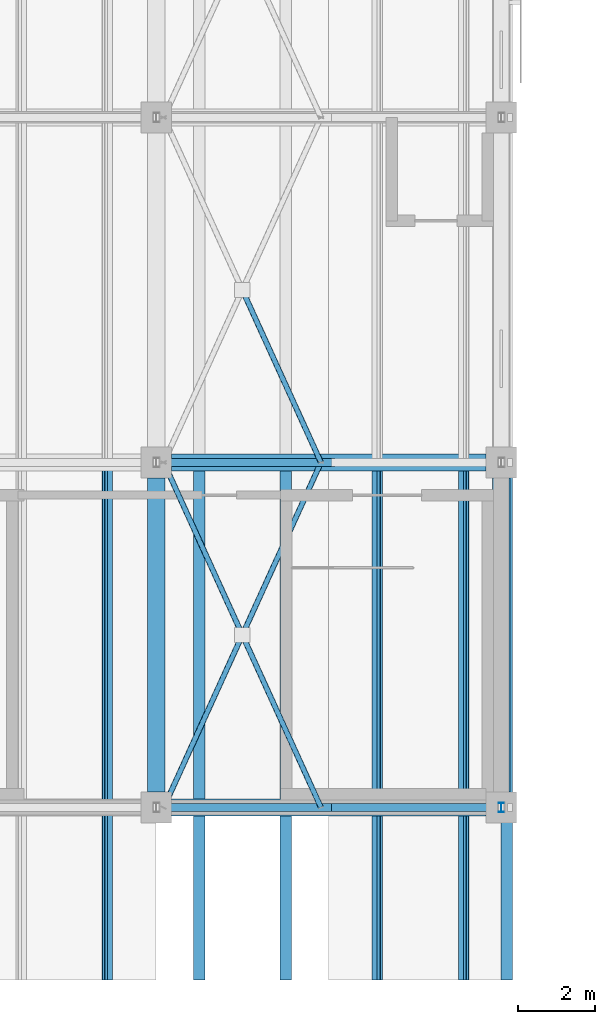
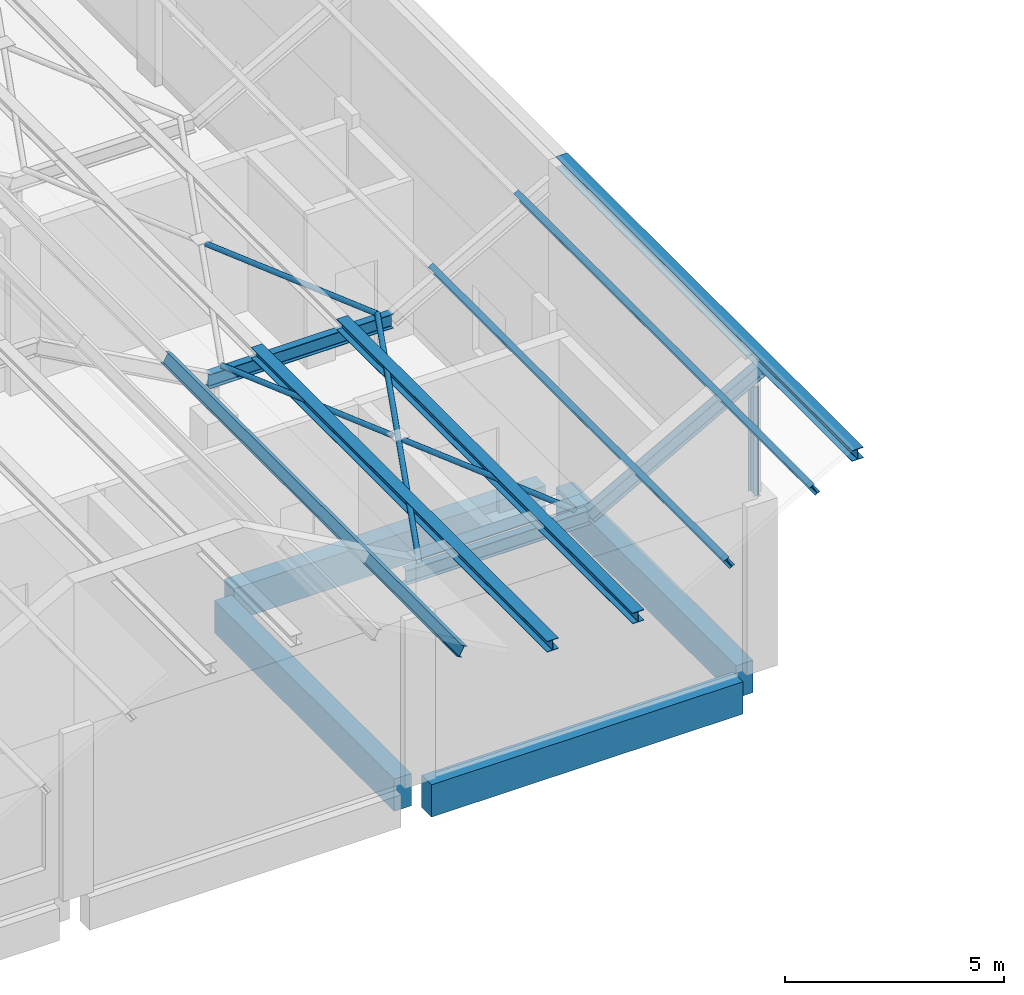
# One storey, part 41 of 437: 14 members, 4 beams.
"""IFC4 building model written with IfcOpenShell, lengths in metres."""

from ifc_helpers import new_model, si_unit, direction, frame, origin, origin_2d, place, context, subcontext, project, spatial, rectangle, hollow_circle, i_section, extrude, material, material_profile, profile_set, type_object, element, save


model = new_model("IFC4")

# Units and contexts
model_context = context("Model", 3, precision=1e-05, world=origin(), true_north=direction((0.0, 1.0)))
body_context = subcontext(model_context, "Body", "Model", "MODEL_VIEW")
ifc_project = project(units=[si_unit("LENGTHUNIT", "METRE"), si_unit("AREAUNIT", "SQUARE_METRE"), si_unit("VOLUMEUNIT", "CUBIC_METRE"), si_unit("PLANEANGLEUNIT", "RADIAN"), si_unit("MASSUNIT", "GRAM", prefix="KILO")], contexts=[model_context])

# Site, building, storey
site_placement = place(None, origin())
site = spatial("IfcSite", under=ifc_project, at=site_placement, CompositionType="ELEMENT")
building_placement = place(site_placement, origin())
building = spatial("IfcBuilding", under=site, at=building_placement, Name="Opaline Strait Convention Centre", CompositionType="ELEMENT")
storey_placement = place(building_placement, frame((0.0, 0.0, 11.5)))
storey = spatial("IfcBuildingStorey", under=building, at=storey_placement, Name="L02", CompositionType="ELEMENT", Elevation=11.5)

# Members
ifc_material_1 = material(Name="Steel Q355B", Category="steel")
ifc_material_profile_1 = material_profile(ifc_material_1, i_section(OverallWidth=0.300048828125, OverallDepth=0.300048828125, WebThickness=0.010009765625, FlangeThickness=0.014892578125, FilletRadius=0.012939453125, at=origin_2d()), Name="HW 300x300x10x15")
ifc_profile_set_1 = profile_set([ifc_material_profile_1], Name="Steel Q355B")
member_type_1 = type_object("IfcMemberType", Name="Crest purlin HW 300x300x10x15", PredefinedType="PURLIN", material=ifc_profile_set_1)
for number, where, z_axis, x_axis, name in (
    (1, (73.125, 4.5, 5.949951171875), (0.0, 1.0, 0.0), (-1.0, 0.0, 0.0), "RU1 purlin facet 15 line 1"),
    (2, (75.375, 4.5, 5.949951171875), (0.0, 1.0, 0.0), (-1.0, 0.0, 0.0), "RU1 purlin facet 15 line 2"),
    (3, (81.14990234375, 4.5, 8.449951171875), (0.0, 1.0, 0.0), (-1.0, 0.0, 0.0), "RU1 purlin facet 17 line 1"),
):
    element("IfcMember", number, at=place(storey_placement, frame(where, z_axis=z_axis, x_axis=x_axis)), inside=storey, type_object=member_type_1, Name=name, PredefinedType="PURLIN", context=body_context, shape_type="SweptSolid", body=[
        extrude(i_section(OverallWidth=0.300048828125, OverallDepth=0.300048828125, WebThickness=0.010009765625, FlangeThickness=0.014892578125, FilletRadius=0.012939453125, at=origin_2d()), origin(), (0.0, 0.0, 1.0), 13.5),
    ])

# Beams
ifc_material_2 = material(Name="Concrete C35", Category="concrete")
ifc_material_profile_2 = material_profile(ifc_material_2, rectangle(XDim=0.449951171875, YDim=0.89990234375, at=origin_2d()), Name="RC 450x900")
ifc_profile_set_2 = profile_set([ifc_material_profile_2], Name="Concrete C35")
beam_type = type_object("IfcBeamType", Name="RC beam 450x900 C35", PredefinedType="BEAM", material=ifc_profile_set_2)
for number, where, z_axis, x_axis, name in (
    (4, (72.39990234375, 9.0, -0.72998046875), (1.0, 0.0, 0.0), (0.0, 1.0, 0.0), "XB1 L02 72/9-81/9"),
    (5, (72.39990234375, 18.0, -0.72998046875), (1.0, 0.0, 0.0), (0.0, 1.0, 0.0), "XB1 L02 72/18-81/18"),
    (6, (72.0, 9.39990234375, -0.72998046875), (0.0, 1.0, 0.0), (-1.0, 0.0, 0.0), "XB1 L02 72/9-72/18"),
    (7, (81.0, 9.39990234375, -0.72998046875), (0.0, 1.0, 0.0), (-1.0, 0.0, 0.0), "XB1 L02 81/9-81/18"),
):
    element("IfcBeam", number, at=place(storey_placement, frame(where, z_axis=z_axis, x_axis=x_axis)), inside=storey, type_object=beam_type, Name=name, PredefinedType="BEAM", context=body_context, shape_type="SweptSolid", body=[
        extrude(rectangle(XDim=0.449951171875, YDim=0.89990234375, at=origin_2d()), origin(), (0.0, 0.0, 1.0), 8.2001953125),
    ])

# Members
ifc_material_profile_3 = material_profile(ifc_material_1, hollow_circle(Radius=0.070068359375, WallThickness=0.0048828125, at=origin_2d()), Name="CHS 140x5")
ifc_profile_set_3 = profile_set([ifc_material_profile_3], Name="Steel Q355B")
member_type_2 = type_object("IfcMemberType", Name="Roof bracing CHS 140x5", PredefinedType="BRACE", material=ifc_profile_set_3)
member_1_placement = place(storey_placement, frame((72.199951171875, 9.0, 5.8701171875), z_axis=(0.414572789354, 0.910016154981, 0.0), x_axis=(-0.910016154981, 0.414572789354, 0.0)))
element("IfcMember", 8, at=member_1_placement, inside=storey, type_object=member_type_2, Name="RX1 roof brace bay 1 at 72", PredefinedType="BRACE", context=body_context, shape_type="SweptSolid", body=[
    extrude(hollow_circle(Radius=0.070068359375, WallThickness=0.0048828125, at=origin_2d()), origin(), (0.0, 0.0, 1.0), 9.889892578125),
])
for number, where, z_axis, x_axis, name in (
    (9, (76.300048828125, 9.0, 5.8701171875), (-0.41458243593, 0.910011760264, 0.0), (-0.910011760264, -0.41458243593, 0.0), "RX1 roof brace bay 1 at 72"),
    (10, (74.185546875, 13.6416015625, 5.8701171875), (-0.41458243593, 0.910011760264, 0.0), (-0.910011760264, -0.41458243593, 0.0), "RX1 roof brace bay 1 at 72"),
    (11, (76.300048828125, 18.0, 5.8701171875), (-0.41458243593, 0.910011760264, 0.0), (-0.910011760264, -0.41458243593, 0.0), "RX1 roof brace bay 2 at 72"),
):
    element("IfcMember", number, at=place(storey_placement, frame(where, z_axis=z_axis, x_axis=x_axis)), inside=storey, type_object=member_type_2, Name=name, PredefinedType="BRACE", context=body_context, shape_type="SweptSolid", body=[
        extrude(hollow_circle(Radius=0.070068359375, WallThickness=0.0048828125, at=origin_2d()), origin(), (0.0, 0.0, 1.0), 4.789306640625),
    ])
ifc_material_profile_4 = material_profile(ifc_material_1, i_section(OverallWidth=0.125, OverallDepth=0.25, WebThickness=0.006103515625, FlangeThickness=0.009033203125, FilletRadius=0.008056640625, at=origin_2d()), Name="HN 250x125x6x9")
ifc_profile_set_4 = profile_set([ifc_material_profile_4], Name="Steel Q355B")
member_type_3 = type_object("IfcMemberType", Name="Roof post HN 250x125x6x9", PredefinedType="STRUT", material=ifc_profile_set_4)
member_2_placement = place(storey_placement, frame((81.0, 9.0, 4.68994140625), z_axis=(0.0, 0.0, 1.0), x_axis=(1.0, 0.0, 0.0)))
element("IfcMember", 12, at=member_2_placement, inside=storey, type_object=member_type_3, Name="RP1 roof post at 81/9", PredefinedType="STRUT", context=body_context, shape_type="SweptSolid", body=[
    extrude(i_section(OverallWidth=0.125, OverallDepth=0.25, WebThickness=0.006103515625, FlangeThickness=0.009033203125, FilletRadius=0.008056640625, at=origin_2d()), origin(), (0.0, 0.0, 1.0), 3.031005859375),
])
ifc_material_profile_5 = material_profile(ifc_material_1, i_section(OverallWidth=0.14990234375, OverallDepth=0.300048828125, WebThickness=0.006591796875, FlangeThickness=0.009033203125, FilletRadius=0.012939453125, at=origin_2d()), Name="HN 300x150x6.5x9")
ifc_profile_set_5 = profile_set([ifc_material_profile_5], Name="Steel Q355B")
member_type_4 = type_object("IfcMemberType", Name="Roof purlin HN 300x150x6.5x9", PredefinedType="PURLIN", material=ifc_profile_set_5)
for number, where, z_axis, x_axis, name in (
    (13, (70.729248046875, 4.5, 6.61279296875), (0.0, 1.0, 0.0), (-0.874157310866, 0.0, 0.485642868639), "RU1 purlin facet 14 line 2"),
    (14, (77.770751953125, 4.5, 6.61279296875), (0.0, 1.0, 0.0), (-0.874157310866, 0.0, -0.485642868639), "RU1 purlin facet 16 line 1"),
    (15, (80.020751953125, 4.5, 7.86279296875), (0.0, 1.0, 0.0), (-0.874157310866, 0.0, -0.485642868639), "RU1 purlin facet 16 line 2"),
):
    element("IfcMember", number, at=place(storey_placement, frame(where, z_axis=z_axis, x_axis=x_axis)), inside=storey, type_object=member_type_4, Name=name, PredefinedType="PURLIN", context=body_context, shape_type="SweptSolid", body=[
        extrude(i_section(OverallWidth=0.14990234375, OverallDepth=0.300048828125, WebThickness=0.006591796875, FlangeThickness=0.009033203125, FilletRadius=0.012939453125, at=origin_2d()), origin(), (0.0, 0.0, 1.0), 13.5),
    ])
ifc_material_profile_6 = material_profile(ifc_material_1, i_section(OverallWidth=0.199951171875, OverallDepth=0.39990234375, WebThickness=0.008056640625, FlangeThickness=0.012939453125, FilletRadius=0.012939453125, at=origin_2d()), Name="HN 400x200x8x13")
ifc_profile_set_6 = profile_set([ifc_material_profile_6], Name="Steel Q355B")
member_type_5 = type_object("IfcMemberType", Name="Roof rafter HN 400x200x8x13", PredefinedType="RAFTER", material=ifc_profile_set_6)
member_3_placement = place(storey_placement, frame((71.83154296875, 9.0, 5.60009765625), z_axis=(1.0, 0.0, 0.0), x_axis=(0.0, 1.0, 0.0)))
element("IfcMember", 16, at=member_3_placement, inside=storey, type_object=member_type_5, Name="RR1 rafter line 1 facet 16", PredefinedType="RAFTER", context=body_context, shape_type="SweptSolid", body=[
    extrude(i_section(OverallWidth=0.199951171875, OverallDepth=0.39990234375, WebThickness=0.008056640625, FlangeThickness=0.012939453125, FilletRadius=0.012939453125, at=origin_2d()), origin(), (0.0, 0.0, 1.0), 4.8369140625),
])
member_4_placement = place(storey_placement, frame((76.66845703125, 9.0, 5.60009765625), z_axis=(0.874157276122, 0.0, 0.485642931179), x_axis=(0.0, 1.0, 0.0)))
element("IfcMember", 17, at=member_4_placement, inside=storey, type_object=member_type_5, Name="RR1 rafter line 1 facet 17", PredefinedType="RAFTER", context=body_context, shape_type="SweptSolid", body=[
    extrude(i_section(OverallWidth=0.199951171875, OverallDepth=0.39990234375, WebThickness=0.008056640625, FlangeThickness=0.012939453125, FilletRadius=0.012939453125, at=origin_2d()), origin(), (0.0, 0.0, 1.0), 5.147705078125),
])
member_5_placement = place(storey_placement, frame((71.83154296875, 18.0, 5.60009765625), z_axis=(1.0, 0.0, 0.0), x_axis=(0.0, 1.0, 0.0)))
element("IfcMember", 18, at=member_5_placement, inside=storey, type_object=member_type_5, Name="RR1 rafter line 2 facet 16", PredefinedType="RAFTER", context=body_context, shape_type="SweptSolid", body=[
    extrude(i_section(OverallWidth=0.199951171875, OverallDepth=0.39990234375, WebThickness=0.008056640625, FlangeThickness=0.012939453125, FilletRadius=0.012939453125, at=origin_2d()), origin(), (0.0, 0.0, 1.0), 4.8369140625),
])

save(model, "model.ifc")
